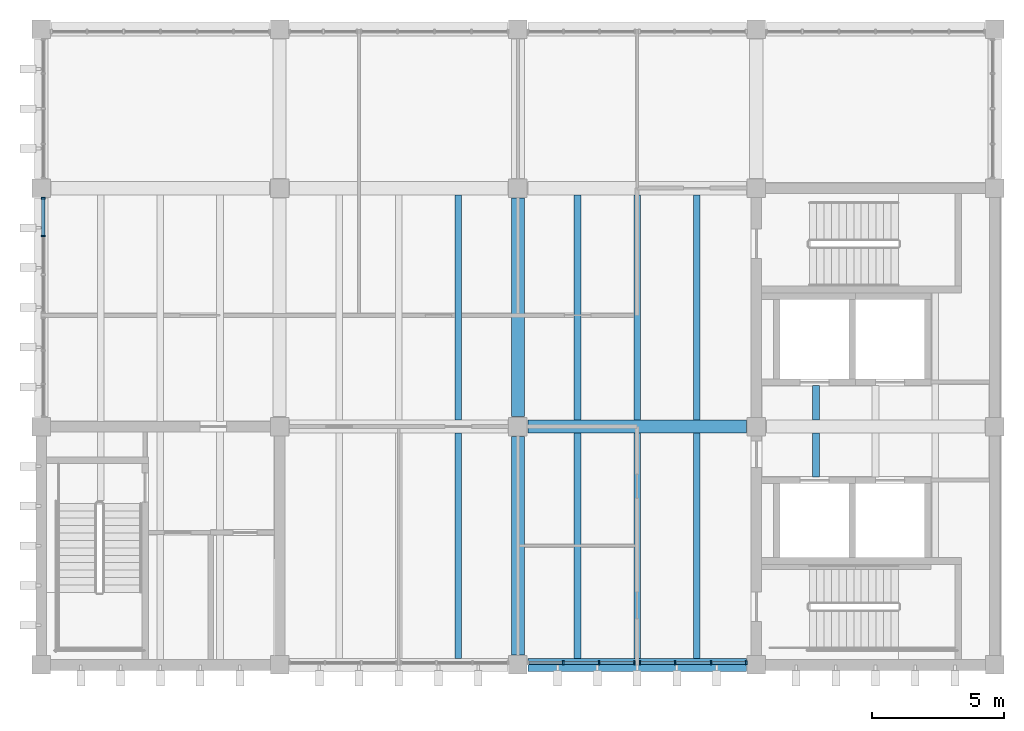
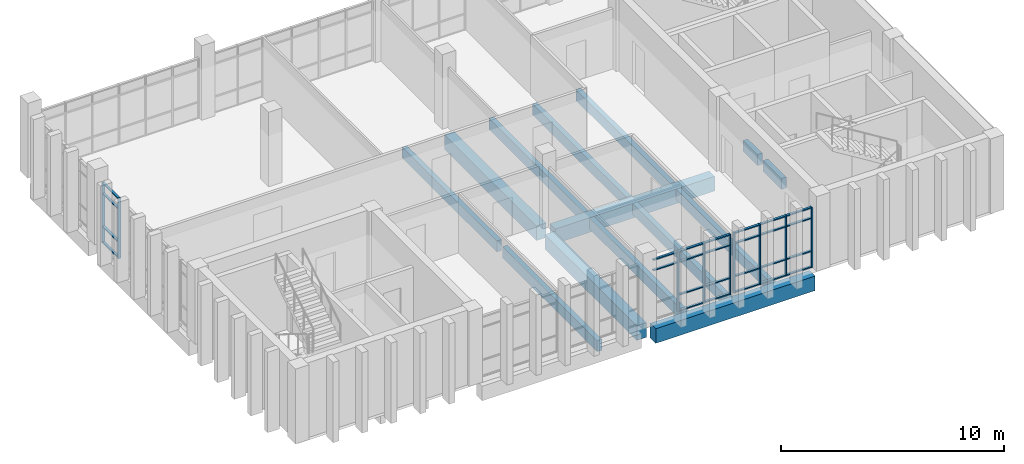
# One storey, part 3 of 14: 35 members, 14 beams, 3 elements without a shape of their own.
"""IFC4 building model written with IfcOpenShell, lengths in metres."""

from ifc_helpers import new_model, si_unit, direction, frame, origin, origin_2d, place, context, subcontext, project, spatial, rectangle, extrude, material, material_profile, profile_set, type_object, element, aggregate, save


model = new_model("IFC4")

# Units and contexts
model_context = context("Model", 3, precision=1e-05, world=origin(), true_north=direction((0.0, 1.0)))
body_context = subcontext(model_context, "Body", "Model", "MODEL_VIEW")
ifc_project = project(units=[si_unit("LENGTHUNIT", "METRE"), si_unit("AREAUNIT", "SQUARE_METRE"), si_unit("VOLUMEUNIT", "CUBIC_METRE"), si_unit("PLANEANGLEUNIT", "RADIAN"), si_unit("MASSUNIT", "GRAM", prefix="KILO")], contexts=[model_context])

# Site, building, storey
site_placement = place(None, origin())
site = spatial("IfcSite", under=ifc_project, at=site_placement, CompositionType="ELEMENT")
building_placement = place(site_placement, origin())
building = spatial("IfcBuilding", under=site, at=building_placement, Name="Merrow Basin Faculty of Sciences", CompositionType="ELEMENT")
storey_placement = place(building_placement, frame((0.0, 0.0, 36.0)))
storey = spatial("IfcBuildingStorey", under=building, at=storey_placement, Name="L08", CompositionType="ELEMENT", Elevation=36.0)

# Curtain wall, members
ifc_material_1 = material(Name="Aluminium alloy 6063", Category="aluminium")
curtain_wall_type = type_object("IfcCurtainWallType", Name="Unitised curtain wall 160", PredefinedType="NOTDEFINED", material=ifc_material_1)
curtain_wall_1_placement = place(storey_placement, origin())
curtain_wall_1 = element("IfcCurtainWall", 1, at=curtain_wall_1_placement, inside=storey, type_object=curtain_wall_type, Name="W curtain wall L08 2", PredefinedType="NOTDEFINED")
ifc_material_2 = material(Name="Aluminium alloy 6063", Category="aluminium")
ifc_material_profile_1 = material_profile(ifc_material_2, rectangle(XDim=0.159912109375, YDim=0.06005859375, at=origin_2d()))
ifc_profile_set_1 = profile_set([ifc_material_profile_1], Name="Aluminium alloy 6063")
member_type_1 = type_object("IfcMemberType", Name="Aluminium mullion 60x160", PredefinedType="MULLION", material=ifc_profile_set_1)
member_1_placement = place(storey_placement, frame((18.080078125, 158.191650390625, 0.0), z_axis=(0.0, 0.0, 1.0), x_axis=(-1.0, 0.0, 0.0)))
member_1 = element("IfcMember", 2, at=member_1_placement, type_object=member_type_1, Name="CW3 mullion 3", PredefinedType="MULLION", context=body_context, shape_type="SweptSolid", body=[
    extrude(rectangle(XDim=0.159912109375, YDim=0.06005859375, at=origin_2d()), origin(), (0.0, 0.0, 1.0), 3.300048828125),
])
member_2_placement = place(storey_placement, frame((18.080078125, 159.6201171875, 0.0), z_axis=(0.0, 0.0, 1.0), x_axis=(-1.0, 0.0, 0.0)))
member_2 = element("IfcMember", 3, at=member_2_placement, type_object=member_type_1, Name="CW3 mullion 4", PredefinedType="MULLION", context=body_context, shape_type="SweptSolid", body=[
    extrude(rectangle(XDim=0.159912109375, YDim=0.06005859375, at=origin_2d()), origin(), (0.0, 0.0, 1.0), 3.300048828125),
])

curtain_wall_2_placement = place(storey_placement, origin())
curtain_wall_2 = element("IfcCurtainWall", 4, at=curtain_wall_2_placement, inside=storey, type_object=curtain_wall_type, Name="S curtain wall L08 3", PredefinedType="NOTDEFINED")
member_3_placement = place(storey_placement, frame((37.708251953125, 142.080078125, 0.0), z_axis=(0.0, 0.0, 1.0), x_axis=(0.0, 1.0, 0.0)))
member_3 = element("IfcMember", 5, at=member_3_placement, type_object=member_type_1, Name="CW3 mullion 2", PredefinedType="MULLION", context=body_context, shape_type="SweptSolid", body=[
    extrude(rectangle(XDim=0.159912109375, YDim=0.06005859375, at=origin_2d()), origin(), (0.0, 0.0, 1.0), 3.300048828125),
])
member_4_placement = place(storey_placement, frame((39.066650390625, 142.080078125, 0.0), z_axis=(0.0, 0.0, 1.0), x_axis=(0.0, 1.0, 0.0)))
member_4 = element("IfcMember", 6, at=member_4_placement, type_object=member_type_1, Name="CW3 mullion 3", PredefinedType="MULLION", context=body_context, shape_type="SweptSolid", body=[
    extrude(rectangle(XDim=0.159912109375, YDim=0.06005859375, at=origin_2d()), origin(), (0.0, 0.0, 1.0), 3.300048828125),
])
member_5_placement = place(storey_placement, frame((40.39501953125, 142.080078125, 0.0), z_axis=(0.0, 0.0, 1.0), x_axis=(0.0, 1.0, 0.0)))
member_5 = element("IfcMember", 7, at=member_5_placement, type_object=member_type_1, Name="CW3 mullion 4", PredefinedType="MULLION", context=body_context, shape_type="SweptSolid", body=[
    extrude(rectangle(XDim=0.159912109375, YDim=0.06005859375, at=origin_2d()), origin(), (0.0, 0.0, 1.0), 3.300048828125),
])

curtain_wall_3_placement = place(storey_placement, origin())
curtain_wall_3 = element("IfcCurtainWall", 8, at=curtain_wall_3_placement, inside=storey, type_object=curtain_wall_type, Name="S curtain wall L08 4", PredefinedType="NOTDEFINED")
member_6_placement = place(storey_placement, frame((40.60498046875, 142.080078125, 0.0), z_axis=(0.0, 0.0, 1.0), x_axis=(0.0, 1.0, 0.0)))
member_6 = element("IfcMember", 9, at=member_6_placement, type_object=member_type_1, Name="CW3 mullion 1", PredefinedType="MULLION", context=body_context, shape_type="SweptSolid", body=[
    extrude(rectangle(XDim=0.159912109375, YDim=0.06005859375, at=origin_2d()), origin(), (0.0, 0.0, 1.0), 3.300048828125),
])
member_7_placement = place(storey_placement, frame((41.933349609375, 142.080078125, 0.0), z_axis=(0.0, 0.0, 1.0), x_axis=(0.0, 1.0, 0.0)))
member_7 = element("IfcMember", 10, at=member_7_placement, type_object=member_type_1, Name="CW3 mullion 2", PredefinedType="MULLION", context=body_context, shape_type="SweptSolid", body=[
    extrude(rectangle(XDim=0.159912109375, YDim=0.06005859375, at=origin_2d()), origin(), (0.0, 0.0, 1.0), 3.300048828125),
])
member_8_placement = place(storey_placement, frame((43.291748046875, 142.080078125, 0.0), z_axis=(0.0, 0.0, 1.0), x_axis=(0.0, 1.0, 0.0)))
member_8 = element("IfcMember", 11, at=member_8_placement, type_object=member_type_1, Name="CW3 mullion 3", PredefinedType="MULLION", context=body_context, shape_type="SweptSolid", body=[
    extrude(rectangle(XDim=0.159912109375, YDim=0.06005859375, at=origin_2d()), origin(), (0.0, 0.0, 1.0), 3.300048828125),
])
member_9_placement = place(storey_placement, frame((44.6201171875, 142.080078125, 0.0), z_axis=(0.0, 0.0, 1.0), x_axis=(0.0, 1.0, 0.0)))
member_9 = element("IfcMember", 12, at=member_9_placement, type_object=member_type_1, Name="CW3 mullion 4", PredefinedType="MULLION", context=body_context, shape_type="SweptSolid", body=[
    extrude(rectangle(XDim=0.159912109375, YDim=0.06005859375, at=origin_2d()), origin(), (0.0, 0.0, 1.0), 3.300048828125),
])

# Member
ifc_material_3 = material(Name="Aluminium alloy 6063", Category="aluminium")
ifc_material_profile_2 = material_profile(ifc_material_3, rectangle(XDim=0.1201171875, YDim=0.06005859375, at=origin_2d()))
ifc_profile_set_2 = profile_set([ifc_material_profile_2], Name="Aluminium alloy 6063")
member_type_2 = type_object("IfcMemberType", Name="Aluminium transom 60x120", PredefinedType="USERDEFINED", material=ifc_profile_set_2)
member_10_placement = place(storey_placement, frame((18.080078125, 158.2216796875, 0.030029296875), z_axis=(0.0, 1.0, 0.0), x_axis=(-1.0, 0.0, 0.0)))
member_10 = element("IfcMember", 13, at=member_10_placement, type_object=member_type_2, Name="CW3 transom 3.1", ObjectType="TRANSOM", PredefinedType="USERDEFINED", context=body_context, shape_type="SweptSolid", body=[
    extrude(rectangle(XDim=0.1201171875, YDim=0.06005859375, at=origin_2d()), origin(), (0.0, 0.0, 1.0), 1.368408203125),
])

member_11_placement = place(storey_placement, frame((18.080078125, 158.2216796875, 0.89990234375), z_axis=(0.0, 1.0, 0.0), x_axis=(-1.0, 0.0, 0.0)))
member_11 = element("IfcMember", 14, at=member_11_placement, type_object=member_type_2, Name="CW3 transom 3.2", ObjectType="TRANSOM", PredefinedType="USERDEFINED", context=body_context, shape_type="SweptSolid", body=[
    extrude(rectangle(XDim=0.1201171875, YDim=0.06005859375, at=origin_2d()), origin(), (0.0, 0.0, 1.0), 1.368408203125),
])

member_12_placement = place(storey_placement, frame((18.080078125, 158.2216796875, 2.699951171875), z_axis=(0.0, 1.0, 0.0), x_axis=(-1.0, 0.0, 0.0)))
member_12 = element("IfcMember", 15, at=member_12_placement, type_object=member_type_2, Name="CW3 transom 3.3", ObjectType="TRANSOM", PredefinedType="USERDEFINED", context=body_context, shape_type="SweptSolid", body=[
    extrude(rectangle(XDim=0.1201171875, YDim=0.06005859375, at=origin_2d()), origin(), (0.0, 0.0, 1.0), 1.368408203125),
])

member_13_placement = place(storey_placement, frame((18.080078125, 158.2216796875, 3.27001953125), z_axis=(0.0, 1.0, 0.0), x_axis=(-1.0, 0.0, 0.0)))
member_13 = element("IfcMember", 16, at=member_13_placement, type_object=member_type_2, Name="CW3 transom 3.4", ObjectType="TRANSOM", PredefinedType="USERDEFINED", context=body_context, shape_type="SweptSolid", body=[
    extrude(rectangle(XDim=0.1201171875, YDim=0.06005859375, at=origin_2d()), origin(), (0.0, 0.0, 1.0), 1.368408203125),
])

aggregate(curtain_wall_1, [member_1, member_2, member_10, member_11, member_12, member_13])

member_14_placement = place(storey_placement, frame((36.409912109375, 142.080078125, 2.699951171875), z_axis=(1.0, 0.0, 0.0), x_axis=(0.0, 1.0, 0.0)))
member_14 = element("IfcMember", 17, at=member_14_placement, type_object=member_type_2, Name="CW3 transom 1.3", ObjectType="TRANSOM", PredefinedType="USERDEFINED", context=body_context, shape_type="SweptSolid", body=[
    extrude(rectangle(XDim=0.1201171875, YDim=0.06005859375, at=origin_2d()), origin(), (0.0, 0.0, 1.0), 1.268310546875),
])

member_15_placement = place(storey_placement, frame((36.409912109375, 142.080078125, 3.27001953125), z_axis=(1.0, 0.0, 0.0), x_axis=(0.0, 1.0, 0.0)))
member_15 = element("IfcMember", 18, at=member_15_placement, type_object=member_type_2, Name="CW3 transom 1.4", ObjectType="TRANSOM", PredefinedType="USERDEFINED", context=body_context, shape_type="SweptSolid", body=[
    extrude(rectangle(XDim=0.1201171875, YDim=0.06005859375, at=origin_2d()), origin(), (0.0, 0.0, 1.0), 1.268310546875),
])

member_16_placement = place(storey_placement, frame((37.73828125, 142.080078125, 0.030029296875), z_axis=(1.0, 0.0, 0.0), x_axis=(0.0, 1.0, 0.0)))
member_16 = element("IfcMember", 19, at=member_16_placement, type_object=member_type_2, Name="CW3 transom 2.1", ObjectType="TRANSOM", PredefinedType="USERDEFINED", context=body_context, shape_type="SweptSolid", body=[
    extrude(rectangle(XDim=0.1201171875, YDim=0.06005859375, at=origin_2d()), origin(), (0.0, 0.0, 1.0), 1.29833984375),
])

member_17_placement = place(storey_placement, frame((37.73828125, 142.080078125, 0.89990234375), z_axis=(1.0, 0.0, 0.0), x_axis=(0.0, 1.0, 0.0)))
member_17 = element("IfcMember", 20, at=member_17_placement, type_object=member_type_2, Name="CW3 transom 2.2", ObjectType="TRANSOM", PredefinedType="USERDEFINED", context=body_context, shape_type="SweptSolid", body=[
    extrude(rectangle(XDim=0.1201171875, YDim=0.06005859375, at=origin_2d()), origin(), (0.0, 0.0, 1.0), 1.29833984375),
])

member_18_placement = place(storey_placement, frame((37.73828125, 142.080078125, 2.699951171875), z_axis=(1.0, 0.0, 0.0), x_axis=(0.0, 1.0, 0.0)))
member_18 = element("IfcMember", 21, at=member_18_placement, type_object=member_type_2, Name="CW3 transom 2.3", ObjectType="TRANSOM", PredefinedType="USERDEFINED", context=body_context, shape_type="SweptSolid", body=[
    extrude(rectangle(XDim=0.1201171875, YDim=0.06005859375, at=origin_2d()), origin(), (0.0, 0.0, 1.0), 1.29833984375),
])

member_19_placement = place(storey_placement, frame((37.73828125, 142.080078125, 3.27001953125), z_axis=(1.0, 0.0, 0.0), x_axis=(0.0, 1.0, 0.0)))
member_19 = element("IfcMember", 22, at=member_19_placement, type_object=member_type_2, Name="CW3 transom 2.4", ObjectType="TRANSOM", PredefinedType="USERDEFINED", context=body_context, shape_type="SweptSolid", body=[
    extrude(rectangle(XDim=0.1201171875, YDim=0.06005859375, at=origin_2d()), origin(), (0.0, 0.0, 1.0), 1.29833984375),
])

member_20_placement = place(storey_placement, frame((39.0966796875, 142.080078125, 0.030029296875), z_axis=(1.0, 0.0, 0.0), x_axis=(0.0, 1.0, 0.0)))
member_20 = element("IfcMember", 23, at=member_20_placement, type_object=member_type_2, Name="CW3 transom 3.1", ObjectType="TRANSOM", PredefinedType="USERDEFINED", context=body_context, shape_type="SweptSolid", body=[
    extrude(rectangle(XDim=0.1201171875, YDim=0.06005859375, at=origin_2d()), origin(), (0.0, 0.0, 1.0), 1.268310546875),
])

member_21_placement = place(storey_placement, frame((39.0966796875, 142.080078125, 0.89990234375), z_axis=(1.0, 0.0, 0.0), x_axis=(0.0, 1.0, 0.0)))
member_21 = element("IfcMember", 24, at=member_21_placement, type_object=member_type_2, Name="CW3 transom 3.2", ObjectType="TRANSOM", PredefinedType="USERDEFINED", context=body_context, shape_type="SweptSolid", body=[
    extrude(rectangle(XDim=0.1201171875, YDim=0.06005859375, at=origin_2d()), origin(), (0.0, 0.0, 1.0), 1.268310546875),
])

member_22_placement = place(storey_placement, frame((39.0966796875, 142.080078125, 2.699951171875), z_axis=(1.0, 0.0, 0.0), x_axis=(0.0, 1.0, 0.0)))
member_22 = element("IfcMember", 25, at=member_22_placement, type_object=member_type_2, Name="CW3 transom 3.3", ObjectType="TRANSOM", PredefinedType="USERDEFINED", context=body_context, shape_type="SweptSolid", body=[
    extrude(rectangle(XDim=0.1201171875, YDim=0.06005859375, at=origin_2d()), origin(), (0.0, 0.0, 1.0), 1.268310546875),
])

member_23_placement = place(storey_placement, frame((39.0966796875, 142.080078125, 3.27001953125), z_axis=(1.0, 0.0, 0.0), x_axis=(0.0, 1.0, 0.0)))
member_23 = element("IfcMember", 26, at=member_23_placement, type_object=member_type_2, Name="CW3 transom 3.4", ObjectType="TRANSOM", PredefinedType="USERDEFINED", context=body_context, shape_type="SweptSolid", body=[
    extrude(rectangle(XDim=0.1201171875, YDim=0.06005859375, at=origin_2d()), origin(), (0.0, 0.0, 1.0), 1.268310546875),
])

aggregate(curtain_wall_2, [member_3, member_4, member_5, member_14, member_15, member_16, member_17, member_18, member_19, member_20, member_21, member_22, member_23])

member_24_placement = place(storey_placement, frame((40.635009765625, 142.080078125, 0.030029296875), z_axis=(1.0, 0.0, 0.0), x_axis=(0.0, 1.0, 0.0)))
member_24 = element("IfcMember", 27, at=member_24_placement, type_object=member_type_2, Name="CW3 transom 1.1", ObjectType="TRANSOM", PredefinedType="USERDEFINED", context=body_context, shape_type="SweptSolid", body=[
    extrude(rectangle(XDim=0.1201171875, YDim=0.06005859375, at=origin_2d()), origin(), (0.0, 0.0, 1.0), 1.268310546875),
])

member_25_placement = place(storey_placement, frame((40.635009765625, 142.080078125, 0.89990234375), z_axis=(1.0, 0.0, 0.0), x_axis=(0.0, 1.0, 0.0)))
member_25 = element("IfcMember", 28, at=member_25_placement, type_object=member_type_2, Name="CW3 transom 1.2", ObjectType="TRANSOM", PredefinedType="USERDEFINED", context=body_context, shape_type="SweptSolid", body=[
    extrude(rectangle(XDim=0.1201171875, YDim=0.06005859375, at=origin_2d()), origin(), (0.0, 0.0, 1.0), 1.268310546875),
])

member_26_placement = place(storey_placement, frame((40.635009765625, 142.080078125, 2.699951171875), z_axis=(1.0, 0.0, 0.0), x_axis=(0.0, 1.0, 0.0)))
member_26 = element("IfcMember", 29, at=member_26_placement, type_object=member_type_2, Name="CW3 transom 1.3", ObjectType="TRANSOM", PredefinedType="USERDEFINED", context=body_context, shape_type="SweptSolid", body=[
    extrude(rectangle(XDim=0.1201171875, YDim=0.06005859375, at=origin_2d()), origin(), (0.0, 0.0, 1.0), 1.268310546875),
])

member_27_placement = place(storey_placement, frame((40.635009765625, 142.080078125, 3.27001953125), z_axis=(1.0, 0.0, 0.0), x_axis=(0.0, 1.0, 0.0)))
member_27 = element("IfcMember", 30, at=member_27_placement, type_object=member_type_2, Name="CW3 transom 1.4", ObjectType="TRANSOM", PredefinedType="USERDEFINED", context=body_context, shape_type="SweptSolid", body=[
    extrude(rectangle(XDim=0.1201171875, YDim=0.06005859375, at=origin_2d()), origin(), (0.0, 0.0, 1.0), 1.268310546875),
])

member_28_placement = place(storey_placement, frame((41.96337890625, 142.080078125, 0.030029296875), z_axis=(1.0, 0.0, 0.0), x_axis=(0.0, 1.0, 0.0)))
member_28 = element("IfcMember", 31, at=member_28_placement, type_object=member_type_2, Name="CW3 transom 2.1", ObjectType="TRANSOM", PredefinedType="USERDEFINED", context=body_context, shape_type="SweptSolid", body=[
    extrude(rectangle(XDim=0.1201171875, YDim=0.06005859375, at=origin_2d()), origin(), (0.0, 0.0, 1.0), 1.29833984375),
])

member_29_placement = place(storey_placement, frame((41.96337890625, 142.080078125, 0.89990234375), z_axis=(1.0, 0.0, 0.0), x_axis=(0.0, 1.0, 0.0)))
member_29 = element("IfcMember", 32, at=member_29_placement, type_object=member_type_2, Name="CW3 transom 2.2", ObjectType="TRANSOM", PredefinedType="USERDEFINED", context=body_context, shape_type="SweptSolid", body=[
    extrude(rectangle(XDim=0.1201171875, YDim=0.06005859375, at=origin_2d()), origin(), (0.0, 0.0, 1.0), 1.29833984375),
])

member_30_placement = place(storey_placement, frame((41.96337890625, 142.080078125, 2.699951171875), z_axis=(1.0, 0.0, 0.0), x_axis=(0.0, 1.0, 0.0)))
member_30 = element("IfcMember", 33, at=member_30_placement, type_object=member_type_2, Name="CW3 transom 2.3", ObjectType="TRANSOM", PredefinedType="USERDEFINED", context=body_context, shape_type="SweptSolid", body=[
    extrude(rectangle(XDim=0.1201171875, YDim=0.06005859375, at=origin_2d()), origin(), (0.0, 0.0, 1.0), 1.29833984375),
])

member_31_placement = place(storey_placement, frame((41.96337890625, 142.080078125, 3.27001953125), z_axis=(1.0, 0.0, 0.0), x_axis=(0.0, 1.0, 0.0)))
member_31 = element("IfcMember", 34, at=member_31_placement, type_object=member_type_2, Name="CW3 transom 2.4", ObjectType="TRANSOM", PredefinedType="USERDEFINED", context=body_context, shape_type="SweptSolid", body=[
    extrude(rectangle(XDim=0.1201171875, YDim=0.06005859375, at=origin_2d()), origin(), (0.0, 0.0, 1.0), 1.29833984375),
])

member_32_placement = place(storey_placement, frame((43.32177734375, 142.080078125, 0.030029296875), z_axis=(1.0, 0.0, 0.0), x_axis=(0.0, 1.0, 0.0)))
member_32 = element("IfcMember", 35, at=member_32_placement, type_object=member_type_2, Name="CW3 transom 3.1", ObjectType="TRANSOM", PredefinedType="USERDEFINED", context=body_context, shape_type="SweptSolid", body=[
    extrude(rectangle(XDim=0.1201171875, YDim=0.06005859375, at=origin_2d()), origin(), (0.0, 0.0, 1.0), 1.268310546875),
])

member_33_placement = place(storey_placement, frame((43.32177734375, 142.080078125, 0.89990234375), z_axis=(1.0, 0.0, 0.0), x_axis=(0.0, 1.0, 0.0)))
member_33 = element("IfcMember", 36, at=member_33_placement, type_object=member_type_2, Name="CW3 transom 3.2", ObjectType="TRANSOM", PredefinedType="USERDEFINED", context=body_context, shape_type="SweptSolid", body=[
    extrude(rectangle(XDim=0.1201171875, YDim=0.06005859375, at=origin_2d()), origin(), (0.0, 0.0, 1.0), 1.268310546875),
])

member_34_placement = place(storey_placement, frame((43.32177734375, 142.080078125, 2.699951171875), z_axis=(1.0, 0.0, 0.0), x_axis=(0.0, 1.0, 0.0)))
member_34 = element("IfcMember", 37, at=member_34_placement, type_object=member_type_2, Name="CW3 transom 3.3", ObjectType="TRANSOM", PredefinedType="USERDEFINED", context=body_context, shape_type="SweptSolid", body=[
    extrude(rectangle(XDim=0.1201171875, YDim=0.06005859375, at=origin_2d()), origin(), (0.0, 0.0, 1.0), 1.268310546875),
])

member_35_placement = place(storey_placement, frame((43.32177734375, 142.080078125, 3.27001953125), z_axis=(1.0, 0.0, 0.0), x_axis=(0.0, 1.0, 0.0)))
member_35 = element("IfcMember", 38, at=member_35_placement, type_object=member_type_2, Name="CW3 transom 3.4", ObjectType="TRANSOM", PredefinedType="USERDEFINED", context=body_context, shape_type="SweptSolid", body=[
    extrude(rectangle(XDim=0.1201171875, YDim=0.06005859375, at=origin_2d()), origin(), (0.0, 0.0, 1.0), 1.268310546875),
])

aggregate(curtain_wall_3, [member_6, member_7, member_8, member_9, member_24, member_25, member_26, member_27, member_28, member_29, member_30, member_31, member_32, member_33, member_34, member_35])

# Beams
ifc_material_4 = material(Name="Concrete C40/50", Category="concrete")
ifc_material_profile_3 = material_profile(ifc_material_4, rectangle(XDim=0.5, YDim=0.800048828125, at=origin_2d()))
ifc_profile_set_3 = profile_set([ifc_material_profile_3], Name="Concrete C40/50")
beam_type_1 = type_object("IfcBeamType", Name="Beam RC500x800 C40/50", PredefinedType="BEAM", material=ifc_profile_set_3)
for number, where, z_axis, x_axis, name in (
    (39, (36.375, 142.0, -0.699951171875), (1.0, 0.0, 0.0), (0.0, 1.0, 0.0), "B4 L08 002"),
    (40, (36.375, 151.0, -0.699951171875), (1.0, 0.0, 0.0), (0.0, 1.0, 0.0), "B4 L08 004"),
    (41, (36.0, 142.375, -0.699951171875), (0.0, 1.0, 0.0), (-1.0, 0.0, 0.0), "B4 L08 017"),
    (42, (36.0, 151.375, -0.699951171875), (0.0, 1.0, 0.0), (-1.0, 0.0, 0.0), "B4 L08 018"),
):
    element("IfcBeam", number, at=place(storey_placement, frame(where, z_axis=z_axis, x_axis=x_axis)), inside=storey, type_object=beam_type_1, Name=name, PredefinedType="BEAM", context=body_context, shape_type="SweptSolid", body=[
        extrude(rectangle(XDim=0.5, YDim=0.800048828125, at=origin_2d()), origin(), (0.0, 0.0, 1.0), 8.25),
    ])
ifc_material_5 = material(Name="Concrete C40/50", Category="concrete")
ifc_material_profile_4 = material_profile(ifc_material_5, rectangle(XDim=0.25, YDim=0.60009765625, at=origin_2d()))
ifc_profile_set_4 = profile_set([ifc_material_profile_4], Name="Concrete C40/50")
beam_type_2 = type_object("IfcBeamType", Name="Tower floor joist RC250x600 C40/50", PredefinedType="BEAM", material=ifc_profile_set_4)
for number, where, z_axis, x_axis, name in (
    (43, (33.75, 142.25, -0.60009765625), (0.0, 1.0, 0.0), (-1.0, 0.0, 0.0), "JT1 L08 031"),
    (44, (33.75, 151.25, -0.60009765625), (0.0, 1.0, 0.0), (-1.0, 0.0, 0.0), "JT1 L08 034"),
    (45, (38.25, 142.25, -0.60009765625), (0.0, 1.0, 0.0), (-1.0, 0.0, 0.0), "JT1 L08 035"),
    (46, (40.5, 142.25, -0.60009765625), (0.0, 1.0, 0.0), (-1.0, 0.0, 0.0), "JT1 L08 036"),
    (47, (42.75, 142.25, -0.60009765625), (0.0, 1.0, 0.0), (-1.0, 0.0, 0.0), "JT1 L08 037"),
    (48, (38.25, 151.25, -0.60009765625), (0.0, 1.0, 0.0), (-1.0, 0.0, 0.0), "JT1 L08 038"),
    (49, (40.5, 151.25, -0.60009765625), (0.0, 1.0, 0.0), (-1.0, 0.0, 0.0), "JT1 L08 039"),
    (50, (42.75, 151.25, -0.60009765625), (0.0, 1.0, 0.0), (-1.0, 0.0, 0.0), "JT1 L08 040"),
):
    element("IfcBeam", number, at=place(storey_placement, frame(where, z_axis=z_axis, x_axis=x_axis)), inside=storey, type_object=beam_type_2, Name=name, PredefinedType="BEAM", context=body_context, shape_type="SweptSolid", body=[
        extrude(rectangle(XDim=0.25, YDim=0.60009765625, at=origin_2d()), origin(), (0.0, 0.0, 1.0), 8.5),
    ])
beam_1_placement = place(storey_placement, frame((47.25, 149.10009765625, -0.60009765625), z_axis=(0.0, 1.0, 0.0), x_axis=(-1.0, 0.0, 0.0)))
element("IfcBeam", 51, at=beam_1_placement, inside=storey, type_object=beam_type_2, Name="JT1 L08 041", PredefinedType="BEAM", context=body_context, shape_type="SweptSolid", body=[
    extrude(rectangle(XDim=0.25, YDim=0.60009765625, at=origin_2d()), origin(), (0.0, 0.0, 1.0), 1.64990234375),
])
beam_2_placement = place(storey_placement, frame((47.25, 151.25, -0.60009765625), z_axis=(0.0, 1.0, 0.0), x_axis=(-1.0, 0.0, 0.0)))
element("IfcBeam", 52, at=beam_2_placement, inside=storey, type_object=beam_type_2, Name="JT1 L08 044", PredefinedType="BEAM", context=body_context, shape_type="SweptSolid", body=[
    extrude(rectangle(XDim=0.25, YDim=0.60009765625, at=origin_2d()), origin(), (0.0, 0.0, 1.0), 1.300048828125),
])

save(model, "model.ifc")
